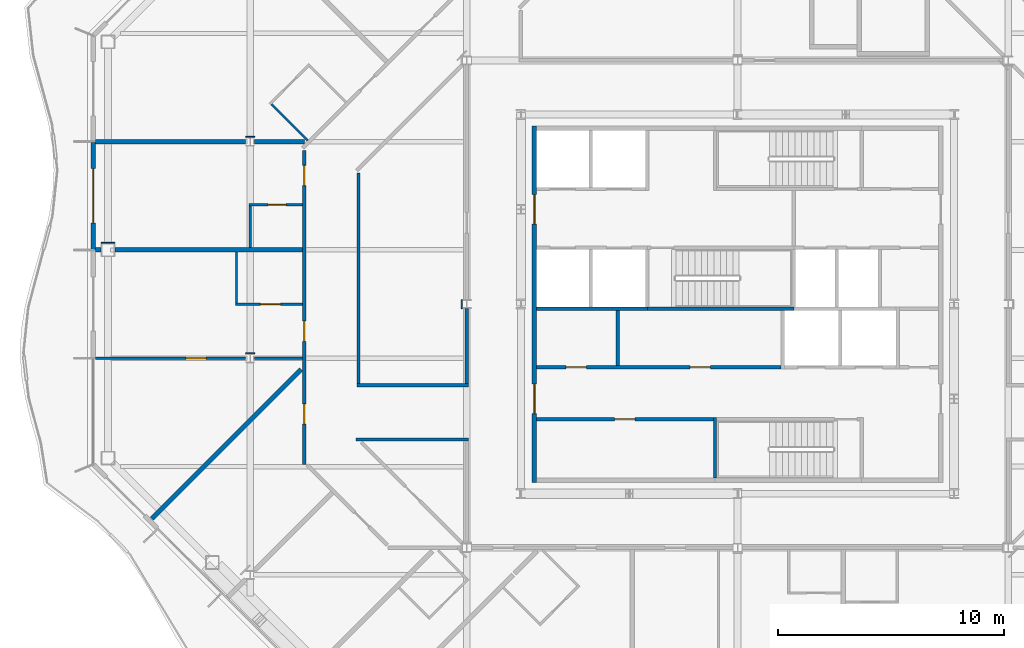
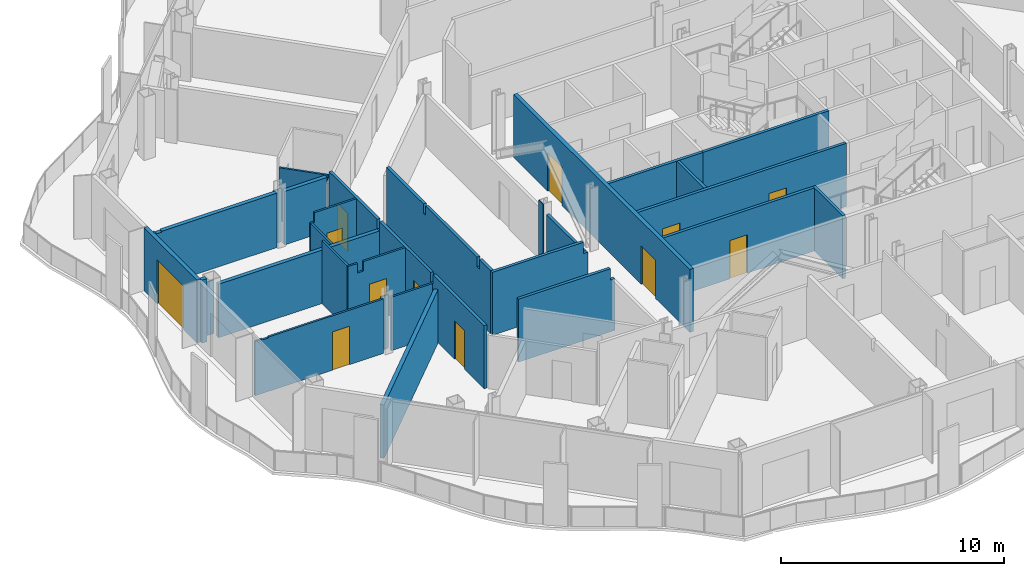
# One storey, part 8 of 21: 29 walls, 12 doors, 12 openings.
"""IFC4 building model written with IfcOpenShell, lengths in metres."""

from ifc_helpers import new_model, si_unit, direction, frame, frame_2d, origin, place, context, subcontext, project, spatial, polyline, rectangle, outline, extrude, material, layer, layer_set, type_object, element, fill, save


model = new_model("IFC4")

# Units and contexts
model_context = context("Model", 3, precision=1e-05, world=origin(), true_north=direction((0.0, 1.0)))
body_context = subcontext(model_context, "Body", "Model", "MODEL_VIEW")
ifc_project = project(units=[si_unit("LENGTHUNIT", "METRE"), si_unit("AREAUNIT", "SQUARE_METRE"), si_unit("VOLUMEUNIT", "CUBIC_METRE"), si_unit("PLANEANGLEUNIT", "RADIAN"), si_unit("MASSUNIT", "GRAM", prefix="KILO")], contexts=[model_context])

# Site, building, storey
site_placement = place(None, origin())
site = spatial("IfcSite", under=ifc_project, at=site_placement, CompositionType="ELEMENT")
building_placement = place(site_placement, origin())
building = spatial("IfcBuilding", under=site, at=building_placement, Name="Cairn Pilgrim Tower", CompositionType="ELEMENT")
storey_placement = place(building_placement, frame((0.0, 0.0, 154.199951171875)))
storey = spatial("IfcBuildingStorey", under=building, at=storey_placement, Name="L38", CompositionType="ELEMENT", Elevation=154.199951171875)

# Wall, opening, door
ifc_material_1 = material(Name="Bronze anodised aluminium insulated sandwich panel with mineral wool fill", Category="aluminium")
ifc_layer_1 = layer(ifc_material_1, 0.199951171875)
ifc_layer_set_1 = layer_set([ifc_layer_1], Name="BRONZE INFILL FRAME WALL 200")
wall_type_1 = type_object("IfcWallType", Name="BRONZE INFILL FRAME WALL 200", PredefinedType="NOTDEFINED", material=ifc_layer_set_1)
wall_1_placement = place(storey_placement, frame((-21.35009765625, 9.570068359375, 0.0), z_axis=(0.0, 0.0, 1.0), x_axis=(0.0, -1.0, 0.0)))
wall_1 = element("IfcWall", 1, at=wall_1_placement, inside=storey, type_object=wall_type_1, Name="Bronze infill frame wall IW-W2", PredefinedType="NOTDEFINED", context=body_context, shape_type="SweptSolid", body=[
    extrude(rectangle(XDim=4.739990234375, YDim=0.199951171875, at=frame_2d((2.3701171875, 0.0))), origin(), (0.0, 0.0, 1.0), 3.449951171875),
])
opening_1_placement = place(wall_1_placement, frame((1.169921875, 0.0, 0.0)))
opening_1 = element("IfcOpeningElement", 2, at=opening_1_placement, cuts=wall_1, Name="Opening 3814B", PredefinedType="OPENING", context=body_context, shape_type="SweptSolid", body=[
    extrude(rectangle(XDim=2.39990234375, YDim=2.39990234375, at=frame_2d((1.199951171875, 1.199951171875))), frame((0.0, 0.10986328125, 0.0), z_axis=(0.0, -1.0, 0.0), x_axis=(1.0, 0.0, 0.0)), (0.0, 0.0, 1.0), 0.219970703125),
])
ifc_material_2 = material(Name="Bronze anodised aluminium frame with tinted low-E glass", Category="aluminium")
door_type_1 = type_object("IfcDoorType", Name="BALCONY SLIDING DOOR 2400x2400", OperationType="DOUBLE_DOOR_SLIDING", PredefinedType="DOOR", material=ifc_material_2)
door_1_placement = place(opening_1_placement, origin())
door_1 = element("IfcDoor", 3, at=door_1_placement, inside=storey, type_object=door_type_1, Name="Balcony sliding door 3814B", OperationType="SINGLE_SWING_LEFT", OverallHeight=2.39990234375, OverallWidth=2.39990234375, PredefinedType="DOOR", context=body_context, shape_type="SweptSolid", body=[
    extrude(rectangle(XDim=2.39990234375, YDim=2.39990234375, at=frame_2d((1.199951171875, 1.199951171875))), frame((0.0, 0.02490234375, 0.0), z_axis=(0.0, -1.0, 0.0), x_axis=(1.0, 0.0, 0.0)), (0.0, 0.0, 1.0), 0.050048828125),
])
fill(opening_1, door_1)

# Wall, openings, doors
ifc_material_3 = material(Name="Concrete C32/40", Category="concrete")
ifc_layer_2 = layer(ifc_material_3, 0.199951171875)
ifc_layer_set_2 = layer_set([ifc_layer_2], Name="CORE OUTER WALL 200 EI 120")
wall_type_2 = type_object("IfcWallType", Name="CORE OUTER WALL 200 EI 120", PredefinedType="SOLIDWALL", material=ifc_layer_set_2)
wall_2_placement = place(storey_placement, frame((-1.800048828125, -5.5, 0.0), z_axis=(0.0, 0.0, 1.0), x_axis=(0.0, 1.0, 0.0)))
wall_2 = element("IfcWall", 4, at=wall_2_placement, inside=storey, type_object=wall_type_2, Name="CW:L38:V13", PredefinedType="SOLIDWALL", context=body_context, shape_type="SweptSolid", body=[
    extrude(rectangle(XDim=15.800048828125, YDim=0.199951171875, at=frame_2d((7.89990234375, 0.0))), origin(), (0.0, 0.0, 1.0), 3.449951171875),
])
opening_2_placement = place(wall_2_placement, frame((3.050048828125, 0.0, 0.0)))
opening_2 = element("IfcOpeningElement", 5, at=opening_2_placement, cuts=wall_2, Name="Opening CD-W1", PredefinedType="OPENING", context=body_context, shape_type="SweptSolid", body=[
    extrude(rectangle(XDim=1.300048828125, YDim=2.10009765625, at=frame_2d((0.64990234375, 1.050048828125))), frame((0.0, 0.10986328125, 0.0), z_axis=(0.0, -1.0, 0.0), x_axis=(1.0, 0.0, 0.0)), (0.0, 0.0, 1.0), 0.219970703125),
])
opening_3_placement = place(wall_2_placement, frame((11.449951171875, 0.0, 0.0)))
opening_3 = element("IfcOpeningElement", 6, at=opening_3_placement, cuts=wall_2, Name="Opening CD-W2", PredefinedType="OPENING", context=body_context, shape_type="SweptSolid", body=[
    extrude(rectangle(XDim=1.300048828125, YDim=2.10009765625, at=frame_2d((0.64990234375, 1.050048828125))), frame((0.0, 0.10986328125, 0.0), z_axis=(0.0, -1.0, 0.0), x_axis=(1.0, 0.0, 0.0)), (0.0, 0.0, 1.0), 0.219970703125),
])
ifc_material_4 = material(Name="Painted steel", Category="steel")
door_type_2 = type_object("IfcDoorType", Name="CORE LOBBY DOOR 1300x2100", OperationType="DOUBLE_DOOR_SINGLE_SWING", PredefinedType="DOOR", material=ifc_material_4)
door_2_placement = place(opening_2_placement, origin())
door_2 = element("IfcDoor", 7, at=door_2_placement, inside=storey, type_object=door_type_2, Name="CD-W1", OperationType="DOUBLE_DOOR_SINGLE_SWING", OverallHeight=2.10009765625, OverallWidth=1.300048828125, PredefinedType="DOOR", context=body_context, shape_type="SweptSolid", body=[
    extrude(rectangle(XDim=1.300048828125, YDim=2.10009765625, at=frame_2d((0.64990234375, 1.050048828125))), frame((0.0, 0.02490234375, 0.0), z_axis=(0.0, -1.0, 0.0), x_axis=(1.0, 0.0, 0.0)), (0.0, 0.0, 1.0), 0.050048828125),
])
fill(opening_2, door_2)
door_3_placement = place(opening_3_placement, origin())
door_3 = element("IfcDoor", 8, at=door_3_placement, inside=storey, type_object=door_type_2, Name="CD-W2", OperationType="DOUBLE_DOOR_SINGLE_SWING", OverallHeight=2.10009765625, OverallWidth=1.300048828125, PredefinedType="DOOR", context=body_context, shape_type="SweptSolid", body=[
    extrude(rectangle(XDim=1.300048828125, YDim=2.10009765625, at=frame_2d((0.64990234375, 1.050048828125))), frame((0.0, 0.02490234375, 0.0), z_axis=(0.0, -1.0, 0.0), x_axis=(1.0, 0.0, 0.0)), (0.0, 0.0, 1.0), 0.050048828125),
])
fill(opening_3, door_3)

# Wall, opening, door
ifc_layer_3 = layer(ifc_material_3, 0.14990234375)
ifc_layer_set_3 = layer_set([ifc_layer_3], Name="CORE PARTITION 150 EI 60")
wall_type_3 = type_object("IfcWallType", Name="CORE PARTITION 150 EI 60", PredefinedType="PARTITIONING", material=ifc_layer_set_3)
wall_3_placement = place(storey_placement, frame((-1.699951171875, -2.699951171875, 0.0), z_axis=(0.0, 0.0, 1.0), x_axis=(1.0, 0.0, 0.0)))
wall_3 = element("IfcWall", 9, at=wall_3_placement, inside=storey, type_object=wall_type_3, Name="CW:L38:H02", PredefinedType="PARTITIONING", context=body_context, shape_type="SweptSolid", body=[
    extrude(rectangle(XDim=7.824951171875, YDim=0.14990234375, at=frame_2d((3.91259765625, 0.0))), origin(), (0.0, 0.0, 1.0), 3.449951171875),
])
opening_4_placement = place(wall_3_placement, frame((3.449951171875, 0.0, 0.0)))
opening_4 = element("IfcOpeningElement", 10, at=opening_4_placement, cuts=wall_3, Name="Opening RD-R1W1", PredefinedType="OPENING", context=body_context, shape_type="SweptSolid", body=[
    extrude(rectangle(XDim=0.89990234375, YDim=2.10009765625, at=frame_2d((0.449951171875, 1.050048828125))), frame((0.0, 0.0849609375, 0.0), z_axis=(0.0, -1.0, 0.0), x_axis=(1.0, 0.0, 0.0)), (0.0, 0.0, 1.0), 0.169921875),
])
door_type_3 = type_object("IfcDoorType", Name="SERVICE ROOM DOOR 900x2100", OperationType="SINGLE_SWING_LEFT", PredefinedType="DOOR", material=ifc_material_4)
door_4_placement = place(opening_4_placement, origin())
door_4 = element("IfcDoor", 11, at=door_4_placement, inside=storey, type_object=door_type_3, Name="RD-R1W1", OperationType="SINGLE_SWING_LEFT", OverallHeight=2.10009765625, OverallWidth=0.89990234375, PredefinedType="DOOR", context=body_context, shape_type="SweptSolid", body=[
    extrude(rectangle(XDim=0.89990234375, YDim=2.10009765625, at=frame_2d((0.449951171875, 1.050048828125))), frame((0.0, 0.02490234375, 0.0), z_axis=(0.0, -1.0, 0.0), x_axis=(1.0, 0.0, 0.0)), (0.0, 0.0, 1.0), 0.050048828125),
])
fill(opening_4, door_4)

# Wall, openings, doors
wall_4_placement = place(storey_placement, frame((-1.699951171875, -0.39990234375, 0.0), z_axis=(0.0, 0.0, 1.0), x_axis=(1.0, 0.0, 0.0)))
wall_4 = element("IfcWall", 12, at=wall_4_placement, inside=storey, type_object=wall_type_3, Name="CW:L38:H04", PredefinedType="PARTITIONING", context=body_context, shape_type="SweptSolid", body=[
    extrude(rectangle(XDim=10.824951171875, YDim=0.14990234375, at=frame_2d((5.41259765625, 0.0))), origin(), (0.0, 0.0, 1.0), 3.449951171875),
])
opening_5_placement = place(wall_4_placement, frame((1.300048828125, 0.0, 0.0)))
opening_5 = element("IfcOpeningElement", 13, at=opening_5_placement, cuts=wall_4, Name="Opening RD-R2W1", PredefinedType="OPENING", context=body_context, shape_type="SweptSolid", body=[
    extrude(rectangle(XDim=0.89990234375, YDim=2.10009765625, at=frame_2d((0.449951171875, 1.050048828125))), frame((0.0, 0.0849609375, 0.0), z_axis=(0.0, -1.0, 0.0), x_axis=(1.0, 0.0, 0.0)), (0.0, 0.0, 1.0), 0.169921875),
])
opening_6_placement = place(wall_4_placement, frame((6.800048828125, 0.0, 0.0)))
opening_6 = element("IfcOpeningElement", 14, at=opening_6_placement, cuts=wall_4, Name="Opening RD-R2W2", PredefinedType="OPENING", context=body_context, shape_type="SweptSolid", body=[
    extrude(rectangle(XDim=0.89990234375, YDim=2.10009765625, at=frame_2d((0.449951171875, 1.050048828125))), frame((0.0, 0.0849609375, 0.0), z_axis=(0.0, -1.0, 0.0), x_axis=(1.0, 0.0, 0.0)), (0.0, 0.0, 1.0), 0.169921875),
])
door_5_placement = place(opening_5_placement, origin())
door_5 = element("IfcDoor", 15, at=door_5_placement, inside=storey, type_object=door_type_3, Name="RD-R2W1", OperationType="SINGLE_SWING_RIGHT", OverallHeight=2.10009765625, OverallWidth=0.89990234375, PredefinedType="DOOR", context=body_context, shape_type="SweptSolid", body=[
    extrude(rectangle(XDim=0.89990234375, YDim=2.10009765625, at=frame_2d((0.449951171875, 1.050048828125))), frame((0.0, 0.02490234375, 0.0), z_axis=(0.0, -1.0, 0.0), x_axis=(1.0, 0.0, 0.0)), (0.0, 0.0, 1.0), 0.050048828125),
])
fill(opening_5, door_5)
door_6_placement = place(opening_6_placement, origin())
door_6 = element("IfcDoor", 16, at=door_6_placement, inside=storey, type_object=door_type_3, Name="RD-R2W2", OperationType="SINGLE_SWING_LEFT", OverallHeight=2.10009765625, OverallWidth=0.89990234375, PredefinedType="DOOR", context=body_context, shape_type="SweptSolid", body=[
    extrude(rectangle(XDim=0.89990234375, YDim=2.10009765625, at=frame_2d((0.449951171875, 1.050048828125))), frame((0.0, 0.02490234375, 0.0), z_axis=(0.0, -1.0, 0.0), x_axis=(1.0, 0.0, 0.0)), (0.0, 0.0, 1.0), 0.050048828125),
])
fill(opening_6, door_6)

# Walls
wall_5_placement = place(storey_placement, frame((1.89990234375, -0.324951171875, 0.0), z_axis=(0.0, 0.0, 1.0), x_axis=(0.0, 1.0, 0.0)))
element("IfcWall", 17, at=wall_5_placement, inside=storey, type_object=wall_type_3, Name="CW:L38:V16", PredefinedType="PARTITIONING", context=body_context, shape_type="SweptSolid", body=[
    extrude(rectangle(XDim=2.449951171875, YDim=0.14990234375, at=frame_2d((1.22509765625, 0.0))), origin(), (0.0, 0.0, 1.0), 3.449951171875),
])
ifc_layer_4 = layer(ifc_material_3, 0.14990234375)
ifc_layer_set_4 = layer_set([ifc_layer_4], Name="CORE SHAFT WALL 150 EI 120")
wall_type_4 = type_object("IfcWallType", Name="CORE SHAFT WALL 150 EI 120", PredefinedType="SOLIDWALL", material=ifc_layer_set_4)
wall_6_placement = place(storey_placement, frame((-1.699951171875, 2.199951171875, 0.0), z_axis=(0.0, 0.0, 1.0), x_axis=(1.0, 0.0, 0.0)))
element("IfcWall", 18, at=wall_6_placement, inside=storey, type_object=wall_type_4, Name="CW:L38:H07-1", PredefinedType="SOLIDWALL", context=body_context, shape_type="SweptSolid", body=[
    extrude(rectangle(XDim=4.89990234375, YDim=0.14990234375, at=frame_2d((2.449951171875, 0.0))), origin(), (0.0, 0.0, 1.0), 3.449951171875),
])

# Wall, opening, door
ifc_material_5 = material(Name="Gypsum partition")
ifc_layer_5 = layer(ifc_material_5, 0.10009765625)
ifc_layer_set_5 = layer_set([ifc_layer_5], Name="PARTITION 100 DRYWALL")
wall_type_5 = type_object("IfcWallType", Name="PARTITION 100 DRYWALL", PredefinedType="PARTITIONING", material=ifc_layer_set_5)
wall_7_placement = place(storey_placement, frame((-21.25, 0.0, 0.0), z_axis=(0.0, 0.0, 1.0), x_axis=(1.0, 0.0, 0.0)))
wall_7 = element("IfcWall", 19, at=wall_7_placement, inside=storey, type_object=wall_type_5, Name="PARTITION W050", PredefinedType="PARTITIONING", context=body_context, shape_type="SweptSolid", body=[
    extrude(outline(polyline([(0.0, 0.0), (6.650390625, 0.0), (6.650390625, 2.97998046875), (0.699951171875, 2.97998046875), (0.697998046875, 2.929931640625), (0.39990234375, 2.929931640625), (0.39794921875, 2.97998046875), (0.0, 2.97998046875), (0.0, 0.0)])), frame((0.0, 0.050048828125, 0.0), z_axis=(0.0, -1.0, 0.0), x_axis=(1.0, 0.0, 0.0)), (0.0, 0.0, 1.0), 0.10009765625),
])
opening_7_placement = place(wall_7_placement, frame((4.0, 0.0, 0.0)))
opening_7 = element("IfcOpeningElement", 20, at=opening_7_placement, cuts=wall_7, Name="Opening 3822", PredefinedType="OPENING", context=body_context, shape_type="SweptSolid", body=[
    extrude(rectangle(XDim=0.89990234375, YDim=2.10009765625, at=frame_2d((0.449951171875, 1.050048828125))), frame((0.0, 0.06005859375, 0.0), z_axis=(0.0, -1.0, 0.0), x_axis=(1.0, 0.0, 0.0)), (0.0, 0.0, 1.0), 0.1201171875),
])
ifc_material_6 = material(Name="Timber door leaf", Category="wood")
door_type_4 = type_object("IfcDoorType", Name="SERVICE DOOR 900x2100", OperationType="NOTDEFINED", PredefinedType="DOOR", material=ifc_material_6)
door_7_placement = place(opening_7_placement, origin())
door_7 = element("IfcDoor", 21, at=door_7_placement, inside=storey, type_object=door_type_4, Name="DOOR 3822", OperationType="SINGLE_SWING_RIGHT", OverallHeight=2.10009765625, OverallWidth=0.89990234375, PredefinedType="DOOR", context=body_context, shape_type="SweptSolid", body=[
    extrude(rectangle(XDim=0.89990234375, YDim=2.10009765625, at=frame_2d((0.449951171875, 1.050048828125))), frame((0.0, 0.02490234375, 0.0), z_axis=(0.0, -1.0, 0.0), x_axis=(1.0, 0.0, 0.0)), (0.0, 0.0, 1.0), 0.050048828125),
])
fill(opening_7, door_7)

# Wall
wall_8_placement = place(storey_placement, frame((-14.200439453125, 0.0, 0.0), z_axis=(0.0, 0.0, 1.0), x_axis=(1.0, 0.0, 0.0)))
element("IfcWall", 22, at=wall_8_placement, inside=storey, type_object=wall_type_5, Name="PARTITION W051", PredefinedType="PARTITIONING", context=body_context, shape_type="SweptSolid", body=[
    extrude(rectangle(XDim=2.12548828125, YDim=0.10009765625, at=frame_2d((1.062744140625, 0.0))), origin(), (0.0, 0.0, 1.0), 2.929931640625),
])

# Wall, opening, door
wall_9_placement = place(storey_placement, frame((-15.050048828125, 2.39990234375, 0.0), z_axis=(0.0, 0.0, 1.0), x_axis=(1.0, 0.0, 0.0)))
wall_9 = element("IfcWall", 23, at=wall_9_placement, inside=storey, type_object=wall_type_5, Name="PARTITION W054", PredefinedType="PARTITIONING", context=body_context, shape_type="SweptSolid", body=[
    extrude(outline(polyline([(0.0, 0.0), (2.97509765625, 0.0), (2.97509765625, 3.449951171875), (0.800048828125, 3.449951171875), (0.798095703125, 2.929931640625), (0.5, 2.929931640625), (0.498046875, 3.449951171875), (0.0, 3.449951171875), (0.0, 0.0)])), frame((0.0, 0.050048828125, 0.0), z_axis=(0.0, -1.0, 0.0), x_axis=(1.0, 0.0, 0.0)), (0.0, 0.0, 1.0), 0.10009765625),
])
opening_8_placement = place(wall_9_placement, frame((1.10009765625, 0.0, 0.0)))
opening_8 = element("IfcOpeningElement", 24, at=opening_8_placement, cuts=wall_9, Name="Opening 3815A", PredefinedType="OPENING", context=body_context, shape_type="SweptSolid", body=[
    extrude(rectangle(XDim=0.89990234375, YDim=2.10009765625, at=frame_2d((0.449951171875, 1.050048828125))), frame((0.0, 0.06005859375, 0.0), z_axis=(0.0, -1.0, 0.0), x_axis=(1.0, 0.0, 0.0)), (0.0, 0.0, 1.0), 0.1201171875),
])
door_type_5 = type_object("IfcDoorType", Name="WC DOOR 900x2100", OperationType="NOTDEFINED", PredefinedType="DOOR", material=ifc_material_6)
door_8_placement = place(opening_8_placement, frame((0.89990234375, 0.0, 0.0), z_axis=(0.0, 0.0, 1.0), x_axis=(-1.0, 0.0, 0.0)))
door_8 = element("IfcDoor", 25, at=door_8_placement, inside=storey, type_object=door_type_5, Name="DOOR 3815A", OperationType="SINGLE_SWING_RIGHT", OverallHeight=2.10009765625, OverallWidth=0.89990234375, PredefinedType="DOOR", context=body_context, shape_type="SweptSolid", body=[
    extrude(rectangle(XDim=0.89990234375, YDim=2.10009765625, at=frame_2d((0.449951171875, 1.050048828125))), frame((0.0, 0.02490234375, 0.0), z_axis=(0.0, -1.0, 0.0), x_axis=(1.0, 0.0, 0.0)), (0.0, 0.0, 1.0), 0.050048828125),
])
fill(opening_8, door_8)

# Walls
wall_10_placement = place(storey_placement, frame((-15.0, 2.449951171875, 0.0), z_axis=(0.0, 0.0, 1.0), x_axis=(0.0, 1.0, 0.0)))
element("IfcWall", 26, at=wall_10_placement, inside=storey, type_object=wall_type_5, Name="PARTITION W055", PredefinedType="PARTITIONING", context=body_context, shape_type="SweptSolid", body=[
    extrude(rectangle(XDim=2.25, YDim=0.10009765625, at=frame_2d((1.125, 0.0))), origin(), (0.0, 0.0, 1.0), 3.449951171875),
])
wall_11_placement = place(storey_placement, frame((-14.39990234375, 4.89990234375, 0.0), z_axis=(0.0, 0.0, 1.0), x_axis=(0.0, 1.0, 0.0)))
element("IfcWall", 27, at=wall_11_placement, inside=storey, type_object=wall_type_5, Name="PARTITION W064", PredefinedType="PARTITIONING", context=body_context, shape_type="SweptSolid", body=[
    extrude(rectangle(XDim=1.85009765625, YDim=0.10009765625, at=frame_2d((0.925048828125, 0.0))), origin(), (0.0, 0.0, 1.0), 2.929931640625),
])

# Wall, opening, door
wall_12_placement = place(storey_placement, frame((-14.449951171875, 6.800048828125, 0.0), z_axis=(0.0, 0.0, 1.0), x_axis=(1.0, 0.0, 0.0)))
wall_12 = element("IfcWall", 28, at=wall_12_placement, inside=storey, type_object=wall_type_5, Name="PARTITION W065", PredefinedType="PARTITIONING", context=body_context, shape_type="SweptSolid", body=[
    extrude(outline(polyline([(0.0, 0.0), (2.375, 0.0), (2.375, 3.449951171875), (0.199951171875, 3.449951171875), (0.197998046875, 2.929931640625), (0.0, 2.929931640625), (0.0, 0.0)])), frame((0.0, 0.050048828125, 0.0), z_axis=(0.0, -1.0, 0.0), x_axis=(1.0, 0.0, 0.0)), (0.0, 0.0, 1.0), 0.10009765625),
])
opening_9_placement = place(wall_12_placement, frame((0.85009765625, 0.0, 0.0)))
opening_9 = element("IfcOpeningElement", 29, at=opening_9_placement, cuts=wall_12, Name="Opening 3814A", PredefinedType="OPENING", context=body_context, shape_type="SweptSolid", body=[
    extrude(rectangle(XDim=0.800048828125, YDim=2.10009765625, at=frame_2d((0.39990234375, 1.050048828125))), frame((0.0, 0.06005859375, 0.0), z_axis=(0.0, -1.0, 0.0), x_axis=(1.0, 0.0, 0.0)), (0.0, 0.0, 1.0), 0.1201171875),
])
door_type_6 = type_object("IfcDoorType", Name="WC DOOR 800x2100", OperationType="NOTDEFINED", PredefinedType="DOOR", material=ifc_material_6)
door_9_placement = place(opening_9_placement, origin())
door_9 = element("IfcDoor", 30, at=door_9_placement, inside=storey, type_object=door_type_6, Name="DOOR 3814A", OperationType="SINGLE_SWING_RIGHT", OverallHeight=2.10009765625, OverallWidth=0.800048828125, PredefinedType="DOOR", context=body_context, shape_type="SweptSolid", body=[
    extrude(rectangle(XDim=0.800048828125, YDim=2.10009765625, at=frame_2d((0.39990234375, 1.050048828125))), frame((0.0, 0.02490234375, 0.0), z_axis=(0.0, -1.0, 0.0), x_axis=(1.0, 0.0, 0.0)), (0.0, 0.0, 1.0), 0.050048828125),
])
fill(opening_9, door_9)

# Wall
wall_13_placement = place(storey_placement, frame((-11.846923828125, 9.653076171875, 0.0), z_axis=(0.0, 0.0, 1.0), x_axis=(-0.707106781187, 0.707106781187, 0.0)))
element("IfcWall", 31, at=wall_13_placement, inside=storey, type_object=wall_type_5, Name="PARTITION W074", PredefinedType="PARTITIONING", context=body_context, shape_type="SweptSolid", body=[
    extrude(rectangle(XDim=2.27490234375, YDim=0.10009765625, at=frame_2d((1.137451171875, 0.0))), origin(), (0.0, 0.0, 1.0), 2.929931640625),
])

# Wall, openings, doors
ifc_layer_6 = layer(ifc_material_5, 0.14990234375)
ifc_layer_set_6 = layer_set([ifc_layer_6], Name="PARTITION 150 DRYWALL EI 60")
wall_type_6 = type_object("IfcWallType", Name="PARTITION 150 DRYWALL EI 60", PredefinedType="PARTITIONING", material=ifc_layer_set_6)
wall_14_placement = place(storey_placement, frame((-12.0, -4.7001953125, 0.0), z_axis=(0.0, 0.0, 1.0), x_axis=(0.0, 1.0, 0.0)))
wall_14 = element("IfcWall", 32, at=wall_14_placement, inside=storey, type_object=wall_type_6, Name="PARTITION W038", PredefinedType="PARTITIONING", context=body_context, shape_type="SweptSolid", body=[
    extrude(outline(polyline([(0.0, 0.0), (13.9130859375, 0.0), (13.9130859375, 3.449951171875), (9.60009765625, 3.449951171875), (9.59814453125, 2.929931640625), (9.400146484375, 2.929931640625), (9.398193359375, 3.449951171875), (4.800048828125, 3.449951171875), (4.798095703125, 2.929931640625), (4.60009765625, 2.929931640625), (4.59814453125, 3.449951171875), (0.0, 3.449951171875), (0.0, 0.0)])), frame((0.0, 0.074951171875, 0.0), z_axis=(0.0, -1.0, 0.0), x_axis=(1.0, 0.0, 0.0)), (0.0, 0.0, 1.0), 0.14990234375),
])
opening_10_placement = place(wall_14_placement, frame((12.34716796875, 0.0, 0.0)))
opening_10 = element("IfcOpeningElement", 33, at=opening_10_placement, cuts=wall_14, Name="Opening 3814", PredefinedType="OPENING", context=body_context, shape_type="SweptSolid", body=[
    extrude(rectangle(XDim=0.89990234375, YDim=2.10009765625, at=frame_2d((0.449951171875, 1.050048828125))), frame((0.0, 0.0849609375, 0.0), z_axis=(0.0, -1.0, 0.0), x_axis=(1.0, 0.0, 0.0)), (0.0, 0.0, 1.0), 0.169921875),
])
opening_11_placement = place(wall_14_placement, frame((5.449951171875, 0.0, 0.0)))
opening_11 = element("IfcOpeningElement", 34, at=opening_11_placement, cuts=wall_14, Name="Opening 3815", PredefinedType="OPENING", context=body_context, shape_type="SweptSolid", body=[
    extrude(rectangle(XDim=0.89990234375, YDim=2.10009765625, at=frame_2d((0.449951171875, 1.050048828125))), frame((0.0, 0.0849609375, 0.0), z_axis=(0.0, -1.0, 0.0), x_axis=(1.0, 0.0, 0.0)), (0.0, 0.0, 1.0), 0.169921875),
])
opening_12_placement = place(wall_14_placement, frame((1.777099609375, 0.0, 0.0)))
opening_12 = element("IfcOpeningElement", 35, at=opening_12_placement, cuts=wall_14, Name="Opening 3816", PredefinedType="OPENING", context=body_context, shape_type="SweptSolid", body=[
    extrude(rectangle(XDim=0.89990234375, YDim=2.10009765625, at=frame_2d((0.449951171875, 1.050048828125))), frame((0.0, 0.0849609375, 0.0), z_axis=(0.0, -1.0, 0.0), x_axis=(1.0, 0.0, 0.0)), (0.0, 0.0, 1.0), 0.169921875),
])
door_type_7 = type_object("IfcDoorType", Name="ROOM DOOR 900x2100 FD30S", OperationType="NOTDEFINED", PredefinedType="DOOR", material=ifc_material_6)
door_10_placement = place(opening_10_placement, origin())
door_10 = element("IfcDoor", 36, at=door_10_placement, inside=storey, type_object=door_type_7, Name="DOOR 3814", OperationType="SINGLE_SWING_RIGHT", OverallHeight=2.10009765625, OverallWidth=0.89990234375, PredefinedType="DOOR", context=body_context, shape_type="SweptSolid", body=[
    extrude(rectangle(XDim=0.89990234375, YDim=2.10009765625, at=frame_2d((0.449951171875, 1.050048828125))), frame((0.0, 0.02490234375, 0.0), z_axis=(0.0, -1.0, 0.0), x_axis=(1.0, 0.0, 0.0)), (0.0, 0.0, 1.0), 0.050048828125),
])
fill(opening_10, door_10)
door_11_placement = place(opening_11_placement, origin())
door_11 = element("IfcDoor", 37, at=door_11_placement, inside=storey, type_object=door_type_7, Name="DOOR 3815", OperationType="SINGLE_SWING_RIGHT", OverallHeight=2.10009765625, OverallWidth=0.89990234375, PredefinedType="DOOR", context=body_context, shape_type="SweptSolid", body=[
    extrude(rectangle(XDim=0.89990234375, YDim=2.10009765625, at=frame_2d((0.449951171875, 1.050048828125))), frame((0.0, 0.02490234375, 0.0), z_axis=(0.0, -1.0, 0.0), x_axis=(1.0, 0.0, 0.0)), (0.0, 0.0, 1.0), 0.050048828125),
])
fill(opening_11, door_11)
door_type_8 = type_object("IfcDoorType", Name="SERVICE DOOR 900x2100 FD30S", OperationType="NOTDEFINED", PredefinedType="DOOR", material=ifc_material_6)
door_12_placement = place(opening_12_placement, origin())
door_12 = element("IfcDoor", 38, at=door_12_placement, inside=storey, type_object=door_type_8, Name="DOOR 3816", OperationType="SINGLE_SWING_RIGHT", OverallHeight=2.10009765625, OverallWidth=0.89990234375, PredefinedType="DOOR", context=body_context, shape_type="SweptSolid", body=[
    extrude(rectangle(XDim=0.89990234375, YDim=2.10009765625, at=frame_2d((0.449951171875, 1.050048828125))), frame((0.0, 0.02490234375, 0.0), z_axis=(0.0, -1.0, 0.0), x_axis=(1.0, 0.0, 0.0)), (0.0, 0.0, 1.0), 0.050048828125),
])
fill(opening_12, door_12)

# Walls
wall_15_placement = place(storey_placement, frame((-9.7060546875, -3.60009765625, 0.0), z_axis=(0.0, 0.0, 1.0), x_axis=(1.0, 0.0, 0.0)))
element("IfcWall", 39, at=wall_15_placement, inside=storey, type_object=wall_type_6, Name="PARTITION W042", PredefinedType="PARTITIONING", context=body_context, shape_type="SweptSolid", body=[
    extrude(outline(polyline([(0.0, 0.0), (4.98095703125, 0.0), (4.981201171875, 2.830078125), (4.756103515625, 2.830078125), (4.754150390625, 3.449951171875), (0.0, 3.449951171875), (0.0, 0.0)])), frame((0.0, 0.074951171875, 0.0), z_axis=(0.0, -1.0, 0.0), x_axis=(1.0, 0.0, 0.0)), (0.0, 0.0, 1.0), 0.14990234375),
])
wall_16_placement = place(storey_placement, frame((-9.675048828125, -1.199951171875, 0.0), z_axis=(0.0, 0.0, 1.0), x_axis=(1.0, 0.0, 0.0)))
element("IfcWall", 40, at=wall_16_placement, inside=storey, type_object=wall_type_6, Name="PARTITION W044", PredefinedType="PARTITIONING", context=body_context, shape_type="SweptSolid", body=[
    extrude(outline(polyline([(0.0, 0.0), (4.949951171875, 0.0), (4.949951171875, 2.830078125), (4.72509765625, 2.830078125), (4.722900390625, 3.449951171875), (0.0, 3.449951171875), (0.0, 0.0)])), frame((0.0, 0.074951171875, 0.0), z_axis=(0.0, -1.0, 0.0), x_axis=(1.0, 0.0, 0.0)), (0.0, 0.0, 1.0), 0.14990234375),
])
wall_17_placement = place(storey_placement, frame((-9.60009765625, -1.125, 0.0), z_axis=(0.0, 0.0, 1.0), x_axis=(0.0, 1.0, 0.0)))
element("IfcWall", 41, at=wall_17_placement, inside=storey, type_object=wall_type_6, Name="PARTITION W046", PredefinedType="PARTITIONING", context=body_context, shape_type="SweptSolid", body=[
    extrude(outline(polyline([(0.0, 0.0), (9.343994140625, 0.0), (9.343994140625, 3.449951171875), (6.02490234375, 3.449951171875), (6.02294921875, 2.929931640625), (5.824951171875, 2.929931640625), (5.822998046875, 3.449951171875), (1.22509765625, 3.449951171875), (1.222900390625, 2.929931640625), (1.02490234375, 2.929931640625), (1.02294921875, 3.449951171875), (0.0, 3.449951171875), (0.0, 0.0)])), frame((0.0, 0.074951171875, 0.0), z_axis=(0.0, -1.0, 0.0), x_axis=(1.0, 0.0, 0.0)), (0.0, 0.0, 1.0), 0.14990234375),
])
wall_18_placement = place(storey_placement, frame((-4.800048828125, -1.125, 0.0), z_axis=(0.0, 0.0, 1.0), x_axis=(0.0, 1.0, 0.0)))
element("IfcWall", 42, at=wall_18_placement, inside=storey, type_object=wall_type_6, Name="PARTITION W047", PredefinedType="PARTITIONING", context=body_context, shape_type="SweptSolid", body=[
    extrude(rectangle(XDim=3.32861328125, YDim=0.14990234375, at=frame_2d((1.664306640625, 0.0))), origin(), (0.0, 0.0, 1.0), 2.830078125),
])
ifc_layer_7 = layer(ifc_material_5, 0.050048828125)
ifc_layer_set_7 = layer_set([ifc_layer_7], Name="PARTITION 50 DRYWALL")
wall_type_7 = type_object("IfcWallType", Name="PARTITION 50 DRYWALL", PredefinedType="PARTITIONING", material=ifc_layer_set_7)
wall_19_placement = place(storey_placement, frame((-14.599609375, 0.221435546875, 0.0), z_axis=(0.0, 0.0, 1.0), x_axis=(1.0, 0.0, 0.0)))
element("IfcWall", 43, at=wall_19_placement, inside=storey, type_object=wall_type_7, Name="COLUMN CASING WC21", PredefinedType="PARTITIONING", context=body_context, shape_type="SweptSolid", body=[
    extrude(rectangle(XDim=0.399169921875, YDim=0.050048828125, at=frame_2d((0.19970703125, 0.0))), origin(), (0.0, 0.0, 1.0), 2.929931640625),
])
ifc_layer_8 = layer(ifc_material_5, 0.050048828125)
ifc_layer_set_8 = layer_set([ifc_layer_8], Name="PARTITION 50 DRYWALL EI 60")
wall_type_8 = type_object("IfcWallType", Name="PARTITION 50 DRYWALL EI 60", PredefinedType="PARTITIONING", material=ifc_layer_set_8)
wall_20_placement = place(storey_placement, frame((-5.0244140625, 2.20361328125, 0.0), z_axis=(0.0, 0.0, 1.0), x_axis=(0.0, 1.0, 0.0)))
element("IfcWall", 44, at=wall_20_placement, inside=storey, type_object=wall_type_8, Name="COLUMN CASING WC17", PredefinedType="PARTITIONING", context=body_context, shape_type="SweptSolid", body=[
    extrude(rectangle(XDim=0.392822265625, YDim=0.050048828125, at=frame_2d((0.1962890625, 0.0))), origin(), (0.0, 0.0, 1.0), 3.449951171875),
])
wall_21_placement = place(storey_placement, frame((-21.0, 5.125, 0.0), z_axis=(0.0, 0.0, 1.0), x_axis=(1.0, 0.0, 0.0)))
element("IfcWall", 45, at=wall_21_placement, inside=storey, type_object=wall_type_8, Name="COLUMN CASING WC23", PredefinedType="PARTITIONING", context=body_context, shape_type="SweptSolid", body=[
    extrude(rectangle(XDim=0.60009765625, YDim=0.050048828125, at=frame_2d((0.300048828125, 0.0))), origin(), (0.0, 0.0, 1.0), 2.929931640625),
])
wall_22_placement = place(storey_placement, frame((-14.599609375, 9.821533203125, 0.0), z_axis=(0.0, 0.0, 1.0), x_axis=(1.0, 0.0, 0.0)))
element("IfcWall", 46, at=wall_22_placement, inside=storey, type_object=wall_type_8, Name="COLUMN CASING WC27", PredefinedType="PARTITIONING", context=body_context, shape_type="SweptSolid", body=[
    extrude(rectangle(XDim=0.399169921875, YDim=0.050048828125, at=frame_2d((0.19970703125, 0.0))), origin(), (0.0, 0.0, 1.0), 2.929931640625),
])
ifc_layer_9 = layer(ifc_material_5, 0.199951171875)
ifc_layer_set_9 = layer_set([ifc_layer_9], Name="SHAFT WALL 200 GYPSUM EI 60")
wall_type_9 = type_object("IfcWallType", Name="SHAFT WALL 200 GYPSUM EI 60", PredefinedType="PARTITIONING", material=ifc_layer_set_9)
wall_23_placement = place(storey_placement, frame((-18.75537109375, -7.107421875, 0.0), z_axis=(0.0, 0.0, 1.0), x_axis=(0.707106781187, 0.707106781187, 0.0)))
element("IfcWall", 47, at=wall_23_placement, inside=storey, type_object=wall_type_9, Name="PARTITION W036", PredefinedType="PARTITIONING", context=body_context, shape_type="SweptSolid", body=[
    extrude(rectangle(XDim=9.347412109375, YDim=0.199951171875, at=frame_2d((4.673828125, 0.0))), origin(), (0.0, 0.0, 1.0), 2.929931640625),
])
wall_24_placement = place(storey_placement, frame((-21.25, 4.800048828125, 0.0), z_axis=(0.0, 0.0, 1.0), x_axis=(1.0, 0.0, 0.0)))
element("IfcWall", 48, at=wall_24_placement, inside=storey, type_object=wall_type_9, Name="PARTITION W060", PredefinedType="PARTITIONING", context=body_context, shape_type="SweptSolid", body=[
    extrude(rectangle(XDim=0.25, YDim=0.199951171875, at=frame_2d((0.125, 0.0))), origin(), (0.0, 0.0, 1.0), 3.449951171875),
])
wall_25_placement = place(storey_placement, frame((-20.39990234375, 4.800048828125, 0.0), z_axis=(0.0, 0.0, 1.0), x_axis=(1.0, 0.0, 0.0)))
element("IfcWall", 49, at=wall_25_placement, inside=storey, type_object=wall_type_9, Name="PARTITION W061", PredefinedType="PARTITIONING", context=body_context, shape_type="SweptSolid", body=[
    extrude(rectangle(XDim=8.324951171875, YDim=0.199951171875, at=frame_2d((4.16259765625, 0.0))), origin(), (0.0, 0.0, 1.0), 2.929931640625),
])
wall_26_placement = place(storey_placement, frame((-21.25, 9.60009765625, 0.0), z_axis=(0.0, 0.0, 1.0), x_axis=(1.0, 0.0, 0.0)))
element("IfcWall", 50, at=wall_26_placement, inside=storey, type_object=wall_type_9, Name="PARTITION W070", PredefinedType="PARTITIONING", context=body_context, shape_type="SweptSolid", body=[
    extrude(outline(polyline([(0.0, 0.0), (6.650390625, 0.0), (6.650390625, 2.97998046875), (0.699951171875, 2.97998046875), (0.697998046875, 2.929931640625), (0.39990234375, 2.929931640625), (0.39794921875, 2.97998046875), (0.0, 2.97998046875), (0.0, 0.0)])), frame((0.0, 0.10009765625, 0.0), z_axis=(0.0, -1.0, 0.0), x_axis=(1.0, 0.0, 0.0)), (0.0, 0.0, 1.0), 0.199951171875),
])
wall_27_placement = place(storey_placement, frame((-14.200439453125, 9.60009765625, 0.0), z_axis=(0.0, 0.0, 1.0), x_axis=(1.0, 0.0, 0.0)))
element("IfcWall", 51, at=wall_27_placement, inside=storey, type_object=wall_type_9, Name="PARTITION W071", PredefinedType="PARTITIONING", context=body_context, shape_type="SweptSolid", body=[
    extrude(rectangle(XDim=2.200439453125, YDim=0.199951171875, at=frame_2d((1.10009765625, 0.0))), origin(), (0.0, 0.0, 1.0), 2.929931640625),
])
ifc_material_7 = material(Name="Concrete C35/45", Category="concrete")
ifc_layer_10 = layer(ifc_material_7, 0.14990234375)
ifc_layer_set_10 = layer_set([ifc_layer_10], Name="STAIR SHAFT WALL 150 EI 120")
wall_type_10 = type_object("IfcWallType", Name="STAIR SHAFT WALL 150 EI 120", PredefinedType="SOLIDWALL", material=ifc_layer_set_10)
wall_28_placement = place(storey_placement, frame((3.199951171875, 2.199951171875, 0.0), z_axis=(0.0, 0.0, 1.0), x_axis=(1.0, 0.0, 0.0)))
element("IfcWall", 52, at=wall_28_placement, inside=storey, type_object=wall_type_10, Name="CW:L38:H07-2", PredefinedType="SOLIDWALL", context=body_context, shape_type="SweptSolid", body=[
    extrude(rectangle(XDim=6.5, YDim=0.14990234375, at=frame_2d((3.25, 0.0))), origin(), (0.0, 0.0, 1.0), 3.449951171875),
])
wall_29_placement = place(storey_placement, frame((6.199951171875, -5.300048828125, 0.0), z_axis=(0.0, 0.0, 1.0), x_axis=(0.0, 1.0, 0.0)))
element("IfcWall", 53, at=wall_29_placement, inside=storey, type_object=wall_type_10, Name="CW:L38:V19", PredefinedType="SOLIDWALL", context=body_context, shape_type="SweptSolid", body=[
    extrude(rectangle(XDim=2.675048828125, YDim=0.14990234375, at=frame_2d((1.33740234375, 0.0))), origin(), (0.0, 0.0, 1.0), 3.449951171875),
])

save(model, "model.ifc")
